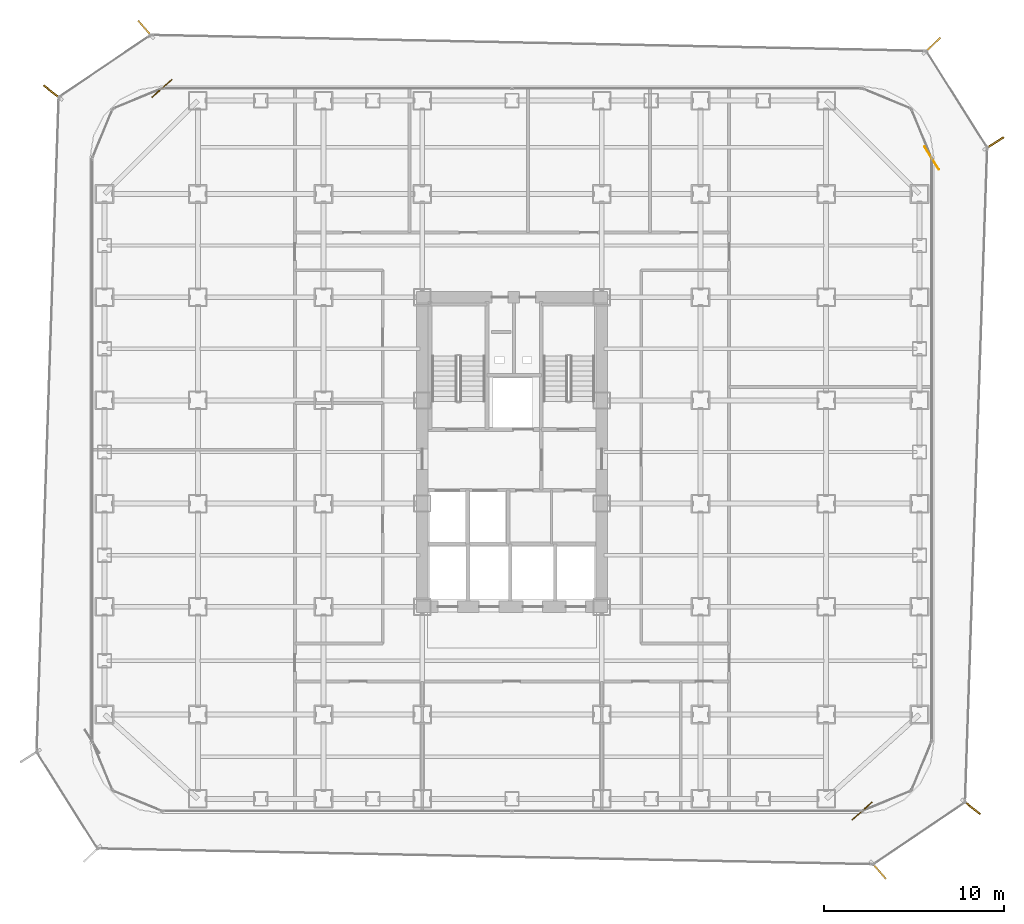
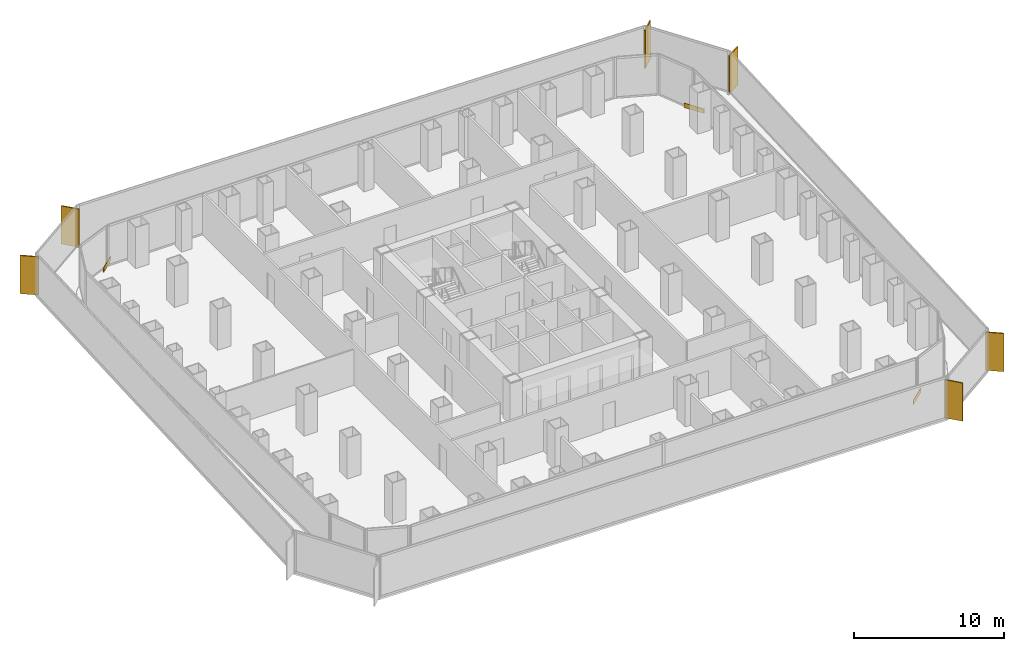
# One storey, part 21 of 21: 6 shading devices, 3 coverings.
"""IFC4 building model written with IfcOpenShell, lengths in metres."""

import ifcopenshell
import ifcopenshell.guid

model = None  # the IFC model being written
_history = None  # IfcOwnerHistory: only IFC2X3 demands one
_inside = {}  # id of a spatial element -> (the spatial element, [elements in it])
_under = {}  # id of a project, library or spatial element -> (it, [spatial elements below it])
_declared = {}  # id of a project -> (the project, [libraries it declares])
_typed = {}  # id of a type object -> (the type object, [elements of that type])
_made_of = {}  # id of a material, layer set ... -> (it, [elements and type objects made of it])


def new_model(schema):
    """Start an empty IFC model of exactly this schema.

    Asked for "IFC4X3", IfcOpenShell would pick the latest addendum, in which some entities
    have other attributes; the version numbers below select the first issue.
    IFC2X3 requires an IfcOwnerHistory on every rooted entity: one is made here for all.
    """
    global model, _history
    if schema == "IFC4X3":
        model = ifcopenshell.file(schema_version=(4, 3, 0, 0))
    else:
        model = ifcopenshell.file(schema=schema)
    _inside.clear()
    _under.clear()
    _declared.clear()
    _typed.clear()
    _made_of.clear()
    _history = None
    if model.schema == "IFC2X3":
        org = make("IfcOrganization", Name="unknown")
        user = make(
            "IfcPersonAndOrganization",
            ThePerson=make("IfcPerson", FamilyName="unknown"),
            TheOrganization=org,
        )
        app = make(
            "IfcApplication",
            ApplicationDeveloper=org,
            Version="unknown",
            ApplicationFullName="unknown",
            ApplicationIdentifier="unknown",
        )
        _history = make(
            "IfcOwnerHistory",
            OwningUser=user,
            OwningApplication=app,
            ChangeAction="ADDED",
            CreationDate=0,
        )
    return model


def make(cls, **values):
    """One entity of the class cls with the attributes given. An attribute that is None is left unset."""
    return model.create_entity(
        cls, **{name: value for name, value in values.items() if value is not None}
    )


def rooted(cls, **values):
    """An entity with a GlobalId (a new one), such as an element, a storey or a relation."""
    return make(cls, GlobalId=ifcopenshell.guid.new(), OwnerHistory=_history, **values)


def si_unit(unit_type, name, prefix=None):
    """IfcSIUnit, for example si_unit("LENGTHUNIT", "METRE", prefix="MILLI")."""
    return make("IfcSIUnit", UnitType=unit_type, Prefix=prefix, Name=name)


def assignment(units):
    """IfcUnitAssignment: the units of a project."""
    return None if units is None else make("IfcUnitAssignment", Units=units)


def point(xyz):
    """IfcCartesianPoint."""
    return None if xyz is None else make("IfcCartesianPoint", Coordinates=xyz)


def direction(xyz):
    """IfcDirection."""
    return None if xyz is None else make("IfcDirection", DirectionRatios=xyz)


def frame(location, z_axis=None, x_axis=None):
    """IfcAxis2Placement3D, a coordinate frame: its origin and axes. An axis left out is left unset."""
    return make(
        "IfcAxis2Placement3D",
        Location=point(location),
        Axis=direction(z_axis),
        RefDirection=direction(x_axis),
    )


def frame_2d(location, x_axis=None):
    """IfcAxis2Placement2D, a coordinate frame in the plane: its origin and x axis."""
    return make(
        "IfcAxis2Placement2D", Location=point(location), RefDirection=direction(x_axis)
    )


def origin():
    """The frame at (0, 0, 0) with its axes left unset."""
    return frame((0.0, 0.0, 0.0))


def origin_2d():
    """The frame at (0, 0) in the plane with its x axis left unset."""
    return frame_2d((0.0, 0.0))


def place(relative_to, where):
    """IfcLocalPlacement: puts the frame where relative to a parent placement (None: the world)."""
    return make(
        "IfcLocalPlacement", PlacementRelTo=relative_to, RelativePlacement=where
    )


def context(
    kind, dimensions, precision=None, world=None, true_north=None, identifier=None
):
    """IfcGeometricRepresentationContext, for example the 3D "Model" context."""
    return make(
        "IfcGeometricRepresentationContext",
        ContextIdentifier=identifier,
        ContextType=kind,
        CoordinateSpaceDimension=dimensions,
        Precision=precision,
        WorldCoordinateSystem=world,
        TrueNorth=true_north,
    )


def subcontext(parent, identifier, kind, view, scale=None):
    """IfcGeometricRepresentationSubContext, for example "Body" below "Model"."""
    return make(
        "IfcGeometricRepresentationSubContext",
        ContextIdentifier=identifier,
        ContextType=kind,
        ParentContext=parent,
        TargetScale=scale,
        TargetView=view,
    )


def project(units=None, contexts=None):
    """IfcProject with its units and contexts."""
    return rooted(
        "IfcProject",
        Name="project",
        RepresentationContexts=contexts,
        UnitsInContext=assignment(units),
    )


def spatial(cls, under=None, at=None, **own):
    """A site, building, storey or space (cls), placed at a placement, below another one or the project."""
    s = rooted(cls, ObjectPlacement=at, **own)
    if under is not None:
        _under.setdefault(under.id(), (under, []))[1].append(s)
    return s


def profile(cls, at=None, kind="AREA", **sizes):
    """A parametric profile (cls). Its sizes go by their IFC names, for example OverallWidth=200.0."""
    return make(cls, ProfileType=kind, Position=at, **sizes)


def rectangle(**sizes):
    """IfcRectangleProfileDef."""
    return profile("IfcRectangleProfileDef", **sizes)


def extrude(swept, where, along, depth):
    """IfcExtrudedAreaSolid: the profile swept, set in the frame where, extruded along a direction by depth."""
    return make(
        "IfcExtrudedAreaSolid",
        SweptArea=swept,
        Position=where,
        ExtrudedDirection=direction(along),
        Depth=depth,
    )


def shape(context_of_items, identifier, shape_type, items):
    """IfcShapeRepresentation: the items that make up one representation, for example the "Body"."""
    return make(
        "IfcShapeRepresentation",
        ContextOfItems=context_of_items,
        RepresentationIdentifier=identifier,
        RepresentationType=shape_type,
        Items=items,
    )


def source(mapping_origin, context_of_items, identifier, shape_type, items):
    """IfcRepresentationMap: a shape defined once, which mapped items show again and again."""
    return make(
        "IfcRepresentationMap",
        MappingOrigin=mapping_origin,
        MappedRepresentation=shape(context_of_items, identifier, shape_type, items),
    )


def transform(
    local_origin,
    x_axis=None,
    y_axis=None,
    z_axis=None,
    scale=None,
    scale2=None,
    scale3=None,
    uniform=True,
):
    """IfcCartesianTransformationOperator3D, or its non-uniform kind. x_axis, y_axis, z_axis: its Axis1, 2, 3."""
    if uniform:
        return make(
            "IfcCartesianTransformationOperator3D",
            Axis1=direction(x_axis),
            Axis2=direction(y_axis),
            LocalOrigin=point(local_origin),
            Scale=scale,
            Axis3=direction(z_axis),
        )
    return make(
        "IfcCartesianTransformationOperator3DnonUniform",
        Axis1=direction(x_axis),
        Axis2=direction(y_axis),
        LocalOrigin=point(local_origin),
        Scale=scale,
        Axis3=direction(z_axis),
        Scale2=scale2,
        Scale3=scale3,
    )


def mapped(mapping_source, mapping_target):
    """IfcMappedItem: shows the shape of a source again, moved by a transform."""
    return make(
        "IfcMappedItem", MappingSource=mapping_source, MappingTarget=mapping_target
    )


def material(Name=None, Category=None):
    """IfcMaterial."""
    return make("IfcMaterial", Name=Name, Category=Category)


def layer(
    of_material, thickness, ventilated=None, Name=None, Category=None, Priority=None
):
    """IfcMaterialLayer: one layer of a wall or slab, of a material (None: an air gap)."""
    return make(
        "IfcMaterialLayer",
        Material=of_material,
        LayerThickness=thickness,
        IsVentilated=ventilated,
        Name=Name,
        Category=Category,
        Priority=Priority,
    )


def layer_set(layers, Name=None):
    """IfcMaterialLayerSet."""
    return make("IfcMaterialLayerSet", MaterialLayers=layers, LayerSetName=Name)


def made_of(thing, what):
    """Note that an element or type object is made of a material, layer set ...; save() writes the relation."""
    if what is not None:
        _made_of.setdefault(what.id(), (what, []))[1].append(thing)
    return thing


def type_object(cls, material=None, **own):
    """A type object (cls), such as IfcWallType, which elements share."""
    return made_of(rooted(cls, **own), material)


def element(
    cls,
    number,
    at=None,
    inside=None,
    cuts=None,
    type_object=None,
    material=None,
    context=None,
    identifier="Body",
    shape_type=None,
    held_by="IfcProductDefinitionShape",
    body=None,
    shapes=None,
    **own,
):
    """One element of the class cls, such as IfcWall. Its Tag is "e" and its number.

    at: its placement. inside: the storey or other place that contains it. cuts: it is an
    opening in that element (IfcRelVoidsElement). A single representation is given by context,
    identifier, shape_type and body (its items); several are given by shapes. held_by: the class
    of the entity that holds the representations. save() writes the other relations.
    """
    e = rooted(cls, Tag="e%d" % number, ObjectPlacement=at, **own)
    if body is not None:
        shapes = [shape(context, identifier, shape_type, body)]
    if shapes is not None:
        e.Representation = make(held_by, Representations=shapes)
    if inside is not None:
        _inside.setdefault(inside.id(), (inside, []))[1].append(e)
    if cuts is not None:
        rooted(
            "IfcRelVoidsElement", RelatingBuildingElement=cuts, RelatedOpeningElement=e
        )
    if type_object is not None:
        _typed.setdefault(type_object.id(), (type_object, []))[1].append(e)
    return made_of(e, material)


def aggregate(whole, parts):
    """IfcRelAggregates: a whole, such as a stair, and the parts it consists of."""
    return rooted("IfcRelAggregates", RelatingObject=whole, RelatedObjects=parts)


def save(model, path):
    """Write the relations noted so far, then the file.

    IfcRelAggregates (storeys below a building ...), IfcRelContainedInSpatialStructure (elements
    in a storey), IfcRelDefinesByType, IfcRelAssociatesMaterial and IfcRelDeclares: one each for
    every whole, place, type object, material and project.
    """
    for whole, parts in _under.values():
        aggregate(whole, parts)
    for where, things in _inside.values():
        rooted(
            "IfcRelContainedInSpatialStructure",
            RelatedElements=things,
            RelatingStructure=where,
        )
    for kind, things in _typed.values():
        rooted("IfcRelDefinesByType", RelatedObjects=things, RelatingType=kind)
    for what, things in _made_of.values():
        rooted("IfcRelAssociatesMaterial", RelatedObjects=things, RelatingMaterial=what)
    for by, libraries in _declared.values():
        rooted("IfcRelDeclares", RelatingContext=by, RelatedDefinitions=libraries)
    model.write(path)


model = new_model("IFC4")

# Units and contexts
model_context = context("Model", 3, precision=1e-05, world=origin(), true_north=direction((0.0, 1.0)))
body_context = subcontext(model_context, "Body", "Model", "MODEL_VIEW")
ifc_project = project(units=[si_unit("LENGTHUNIT", "METRE"), si_unit("AREAUNIT", "SQUARE_METRE"), si_unit("VOLUMEUNIT", "CUBIC_METRE"), si_unit("PLANEANGLEUNIT", "RADIAN"), si_unit("MASSUNIT", "GRAM", prefix="KILO")], contexts=[model_context])

# Site, building, storey
site_placement = place(None, origin())
site = spatial("IfcSite", under=ifc_project, at=site_placement, CompositionType="ELEMENT")
building_placement = place(site_placement, origin())
building = spatial("IfcBuilding", under=site, at=building_placement, Name="Kolveth Station Tower", CompositionType="ELEMENT")
storey_placement = place(building_placement, frame((0.0, 0.0, 29.699951171875)))
storey = spatial("IfcBuildingStorey", under=building, at=storey_placement, Name="L07", CompositionType="ELEMENT", Elevation=29.699951171875)

# Shading devices
ifc_material_1 = material(Name="Black anodized aluminium 6063-T6", Category="aluminium")
shading_device_type = type_object("IfcShadingDeviceType", Name="FIN_VF1", PredefinedType="USERDEFINED", material=ifc_material_1)
shared_shape_1 = source(origin(), body_context, "Body", "SweptSolid", [
    extrude(rectangle(XDim=1.25, YDim=0.090087890625, at=origin_2d()), origin(), (0.0, 0.0, 1.0), 3.10009765625),
])
for number, where, z_axis, x_axis, name in (
    (1, (43.9208984375, -3.18505859375, 0.0), (0.0, 0.0, 1.0), (0.656980590831, -0.753907489863, 0.0), "L07 Dark-Aluminium Solar Fin 1"),
    (2, (49.095947265625, 0.337890625, 0.0), (0.0, 0.0, 1.0), (0.789298462742, -0.614009720373, 0.0), "L07 Dark-Aluminium Solar Fin 2"),
    (3, (50.35693359375, 37.324951171875, 0.0), (0.0, 0.0, 1.0), (0.843860006976, 0.536563405971, 0.0), "L07 Dark-Aluminium Solar Fin 3"),
    (4, (46.909912109375, 42.77197265625, 0.0), (0.0, 0.0, 1.0), (0.720672122155, 0.693276057822, 0.0), "L07 Dark-Aluminium Solar Fin 4"),
    (5, (3.077880859375, 43.68994140625, 0.0), (0.0, 0.0, 1.0), (-0.656848999146, 0.754022143124, 0.0), "L07 Dark-Aluminium Solar Fin 5"),
    (6, (-2.10205078125, 40.1650390625, 0.0), (0.0, 0.0, 1.0), (-0.789298462742, 0.614009720373, 0.0), "L07 Dark-Aluminium Solar Fin 6"),
):
    element("IfcShadingDevice", number, at=place(storey_placement, frame(where, z_axis=z_axis, x_axis=x_axis)), inside=storey, type_object=shading_device_type, Name=name, ObjectType="FIN", PredefinedType="USERDEFINED", context=body_context, shape_type="MappedRepresentation", body=[
        mapped(shared_shape_1, transform((0.0, 0.0, 0.0), x_axis=(1.0, 0.0, 0.0), y_axis=(0.0, 1.0, 0.0), z_axis=(0.0, 0.0, 1.0), scale=1.0)),
    ])

# Coverings
ifc_material_2 = material(Name="Charcoal anodized aluminium spandrel cladding", Category="aluminium")
ifc_layer = layer(ifc_material_2, 0.044921875)
ifc_layer_set = layer_set([ifc_layer], Name="Charcoal anodized aluminium spandrel cladding")
covering_type = type_object("IfcCoveringType", Name="Clad_CD1", PredefinedType="CLADDING", material=ifc_layer_set)
shared_shape_2 = source(origin(), body_context, "Body", "SweptSolid", [
    extrude(rectangle(XDim=1.5, YDim=0.044921875, at=origin_2d()), origin(), (0.0, 0.0, 1.0), 0.360107421875),
])
for number, where, z_axis, x_axis, name in (
    (7, (43.0, 0.1201171875, 0.0), (0.0, 0.0, 1.0), (0.753907489863, 0.656980590831, 0.0), "L07 Spandrel Edge Cladding 1"),
    (8, (46.8798828125, 36.5, 0.0), (0.0, 0.0, 1.0), (-0.536563405971, 0.843860006976, 0.0), "L07 Spandrel Edge Cladding 3"),
    (9, (4.0, 40.3798828125, 0.0), (0.0, 0.0, 1.0), (-0.754022143124, -0.656848999146, 0.0), "L07 Spandrel Edge Cladding 5"),
):
    element("IfcCovering", number, at=place(storey_placement, frame(where, z_axis=z_axis, x_axis=x_axis)), inside=storey, type_object=covering_type, Name=name, PredefinedType="CLADDING", context=body_context, shape_type="MappedRepresentation", body=[
        mapped(shared_shape_2, transform((0.0, 0.0, 0.0), x_axis=(1.0, 0.0, 0.0), y_axis=(0.0, 1.0, 0.0), z_axis=(0.0, 0.0, 1.0), scale=1.0)),
    ])

save(model, "model.ifc")
